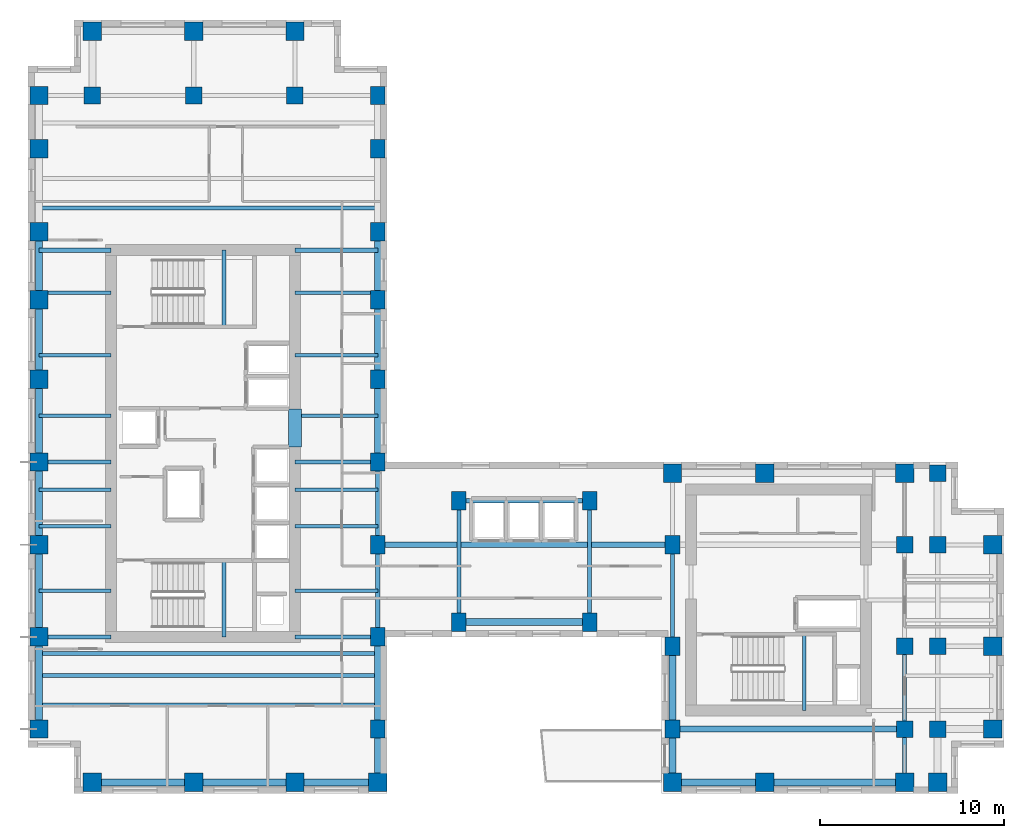
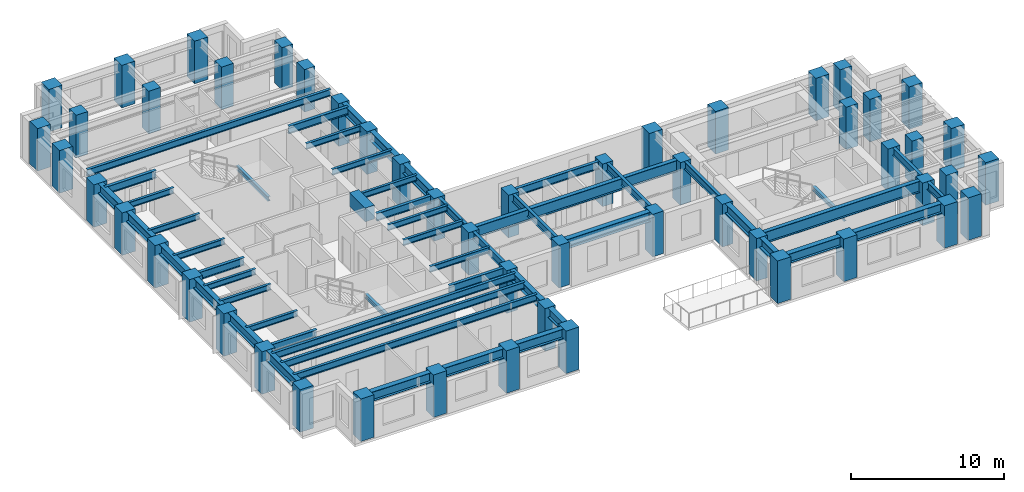
# One storey, part 1 of 12: 55 beams, 52 columns.
"""IFC4 building model written with IfcOpenShell, lengths in metres."""

import ifcopenshell
import ifcopenshell.guid

model = None  # the IFC model being written
_history = None  # IfcOwnerHistory: only IFC2X3 demands one
_inside = {}  # id of a spatial element -> (the spatial element, [elements in it])
_under = {}  # id of a project, library or spatial element -> (it, [spatial elements below it])
_declared = {}  # id of a project -> (the project, [libraries it declares])
_typed = {}  # id of a type object -> (the type object, [elements of that type])
_made_of = {}  # id of a material, layer set ... -> (it, [elements and type objects made of it])


def new_model(schema):
    """Start an empty IFC model of exactly this schema.

    Asked for "IFC4X3", IfcOpenShell would pick the latest addendum, in which some entities
    have other attributes; the version numbers below select the first issue.
    IFC2X3 requires an IfcOwnerHistory on every rooted entity: one is made here for all.
    """
    global model, _history
    if schema == "IFC4X3":
        model = ifcopenshell.file(schema_version=(4, 3, 0, 0))
    else:
        model = ifcopenshell.file(schema=schema)
    _inside.clear()
    _under.clear()
    _declared.clear()
    _typed.clear()
    _made_of.clear()
    _history = None
    if model.schema == "IFC2X3":
        org = make("IfcOrganization", Name="unknown")
        user = make(
            "IfcPersonAndOrganization",
            ThePerson=make("IfcPerson", FamilyName="unknown"),
            TheOrganization=org,
        )
        app = make(
            "IfcApplication",
            ApplicationDeveloper=org,
            Version="unknown",
            ApplicationFullName="unknown",
            ApplicationIdentifier="unknown",
        )
        _history = make(
            "IfcOwnerHistory",
            OwningUser=user,
            OwningApplication=app,
            ChangeAction="ADDED",
            CreationDate=0,
        )
    return model


def make(cls, **values):
    """One entity of the class cls with the attributes given. An attribute that is None is left unset."""
    return model.create_entity(
        cls, **{name: value for name, value in values.items() if value is not None}
    )


def rooted(cls, **values):
    """An entity with a GlobalId (a new one), such as an element, a storey or a relation."""
    return make(cls, GlobalId=ifcopenshell.guid.new(), OwnerHistory=_history, **values)


def si_unit(unit_type, name, prefix=None):
    """IfcSIUnit, for example si_unit("LENGTHUNIT", "METRE", prefix="MILLI")."""
    return make("IfcSIUnit", UnitType=unit_type, Prefix=prefix, Name=name)


def assignment(units):
    """IfcUnitAssignment: the units of a project."""
    return None if units is None else make("IfcUnitAssignment", Units=units)


def point(xyz):
    """IfcCartesianPoint."""
    return None if xyz is None else make("IfcCartesianPoint", Coordinates=xyz)


def direction(xyz):
    """IfcDirection."""
    return None if xyz is None else make("IfcDirection", DirectionRatios=xyz)


def frame(location, z_axis=None, x_axis=None):
    """IfcAxis2Placement3D, a coordinate frame: its origin and axes. An axis left out is left unset."""
    return make(
        "IfcAxis2Placement3D",
        Location=point(location),
        Axis=direction(z_axis),
        RefDirection=direction(x_axis),
    )


def frame_2d(location, x_axis=None):
    """IfcAxis2Placement2D, a coordinate frame in the plane: its origin and x axis."""
    return make(
        "IfcAxis2Placement2D", Location=point(location), RefDirection=direction(x_axis)
    )


def origin():
    """The frame at (0, 0, 0) with its axes left unset."""
    return frame((0.0, 0.0, 0.0))


def origin_2d():
    """The frame at (0, 0) in the plane with its x axis left unset."""
    return frame_2d((0.0, 0.0))


def place(relative_to, where):
    """IfcLocalPlacement: puts the frame where relative to a parent placement (None: the world)."""
    return make(
        "IfcLocalPlacement", PlacementRelTo=relative_to, RelativePlacement=where
    )


def context(
    kind, dimensions, precision=None, world=None, true_north=None, identifier=None
):
    """IfcGeometricRepresentationContext, for example the 3D "Model" context."""
    return make(
        "IfcGeometricRepresentationContext",
        ContextIdentifier=identifier,
        ContextType=kind,
        CoordinateSpaceDimension=dimensions,
        Precision=precision,
        WorldCoordinateSystem=world,
        TrueNorth=true_north,
    )


def subcontext(parent, identifier, kind, view, scale=None):
    """IfcGeometricRepresentationSubContext, for example "Body" below "Model"."""
    return make(
        "IfcGeometricRepresentationSubContext",
        ContextIdentifier=identifier,
        ContextType=kind,
        ParentContext=parent,
        TargetScale=scale,
        TargetView=view,
    )


def project(units=None, contexts=None):
    """IfcProject with its units and contexts."""
    return rooted(
        "IfcProject",
        Name="project",
        RepresentationContexts=contexts,
        UnitsInContext=assignment(units),
    )


def spatial(cls, under=None, at=None, **own):
    """A site, building, storey or space (cls), placed at a placement, below another one or the project."""
    s = rooted(cls, ObjectPlacement=at, **own)
    if under is not None:
        _under.setdefault(under.id(), (under, []))[1].append(s)
    return s


def profile(cls, at=None, kind="AREA", **sizes):
    """A parametric profile (cls). Its sizes go by their IFC names, for example OverallWidth=200.0."""
    return make(cls, ProfileType=kind, Position=at, **sizes)


def rectangle(**sizes):
    """IfcRectangleProfileDef."""
    return profile("IfcRectangleProfileDef", **sizes)


def i_section(**sizes):
    """IfcIShapeProfileDef."""
    return profile("IfcIShapeProfileDef", **sizes)


def extrude(swept, where, along, depth):
    """IfcExtrudedAreaSolid: the profile swept, set in the frame where, extruded along a direction by depth."""
    return make(
        "IfcExtrudedAreaSolid",
        SweptArea=swept,
        Position=where,
        ExtrudedDirection=direction(along),
        Depth=depth,
    )


def shape(context_of_items, identifier, shape_type, items):
    """IfcShapeRepresentation: the items that make up one representation, for example the "Body"."""
    return make(
        "IfcShapeRepresentation",
        ContextOfItems=context_of_items,
        RepresentationIdentifier=identifier,
        RepresentationType=shape_type,
        Items=items,
    )


def source(mapping_origin, context_of_items, identifier, shape_type, items):
    """IfcRepresentationMap: a shape defined once, which mapped items show again and again."""
    return make(
        "IfcRepresentationMap",
        MappingOrigin=mapping_origin,
        MappedRepresentation=shape(context_of_items, identifier, shape_type, items),
    )


def transform(
    local_origin,
    x_axis=None,
    y_axis=None,
    z_axis=None,
    scale=None,
    scale2=None,
    scale3=None,
    uniform=True,
):
    """IfcCartesianTransformationOperator3D, or its non-uniform kind. x_axis, y_axis, z_axis: its Axis1, 2, 3."""
    if uniform:
        return make(
            "IfcCartesianTransformationOperator3D",
            Axis1=direction(x_axis),
            Axis2=direction(y_axis),
            LocalOrigin=point(local_origin),
            Scale=scale,
            Axis3=direction(z_axis),
        )
    return make(
        "IfcCartesianTransformationOperator3DnonUniform",
        Axis1=direction(x_axis),
        Axis2=direction(y_axis),
        LocalOrigin=point(local_origin),
        Scale=scale,
        Axis3=direction(z_axis),
        Scale2=scale2,
        Scale3=scale3,
    )


def mapped(mapping_source, mapping_target):
    """IfcMappedItem: shows the shape of a source again, moved by a transform."""
    return make(
        "IfcMappedItem", MappingSource=mapping_source, MappingTarget=mapping_target
    )


def material(Name=None, Category=None):
    """IfcMaterial."""
    return make("IfcMaterial", Name=Name, Category=Category)


def material_profile(
    of_material, cross_section, Name=None, Category=None, Priority=None
):
    """IfcMaterialProfile: a cross section and its material."""
    return make(
        "IfcMaterialProfile",
        Name=Name,
        Material=of_material,
        Profile=cross_section,
        Priority=Priority,
        Category=Category,
    )


def profile_set(profiles, Name=None, composite=None):
    """IfcMaterialProfileSet."""
    return make(
        "IfcMaterialProfileSet",
        Name=Name,
        MaterialProfiles=profiles,
        CompositeProfile=composite,
    )


def made_of(thing, what):
    """Note that an element or type object is made of a material, layer set ...; save() writes the relation."""
    if what is not None:
        _made_of.setdefault(what.id(), (what, []))[1].append(thing)
    return thing


def type_object(cls, material=None, **own):
    """A type object (cls), such as IfcWallType, which elements share."""
    return made_of(rooted(cls, **own), material)


def element(
    cls,
    number,
    at=None,
    inside=None,
    cuts=None,
    type_object=None,
    material=None,
    context=None,
    identifier="Body",
    shape_type=None,
    held_by="IfcProductDefinitionShape",
    body=None,
    shapes=None,
    **own,
):
    """One element of the class cls, such as IfcWall. Its Tag is "e" and its number.

    at: its placement. inside: the storey or other place that contains it. cuts: it is an
    opening in that element (IfcRelVoidsElement). A single representation is given by context,
    identifier, shape_type and body (its items); several are given by shapes. held_by: the class
    of the entity that holds the representations. save() writes the other relations.
    """
    e = rooted(cls, Tag="e%d" % number, ObjectPlacement=at, **own)
    if body is not None:
        shapes = [shape(context, identifier, shape_type, body)]
    if shapes is not None:
        e.Representation = make(held_by, Representations=shapes)
    if inside is not None:
        _inside.setdefault(inside.id(), (inside, []))[1].append(e)
    if cuts is not None:
        rooted(
            "IfcRelVoidsElement", RelatingBuildingElement=cuts, RelatedOpeningElement=e
        )
    if type_object is not None:
        _typed.setdefault(type_object.id(), (type_object, []))[1].append(e)
    return made_of(e, material)


def aggregate(whole, parts):
    """IfcRelAggregates: a whole, such as a stair, and the parts it consists of."""
    return rooted("IfcRelAggregates", RelatingObject=whole, RelatedObjects=parts)


def save(model, path):
    """Write the relations noted so far, then the file.

    IfcRelAggregates (storeys below a building ...), IfcRelContainedInSpatialStructure (elements
    in a storey), IfcRelDefinesByType, IfcRelAssociatesMaterial and IfcRelDeclares: one each for
    every whole, place, type object, material and project.
    """
    for whole, parts in _under.values():
        aggregate(whole, parts)
    for where, things in _inside.values():
        rooted(
            "IfcRelContainedInSpatialStructure",
            RelatedElements=things,
            RelatingStructure=where,
        )
    for kind, things in _typed.values():
        rooted("IfcRelDefinesByType", RelatedObjects=things, RelatingType=kind)
    for what, things in _made_of.values():
        rooted("IfcRelAssociatesMaterial", RelatedObjects=things, RelatingMaterial=what)
    for by, libraries in _declared.values():
        rooted("IfcRelDeclares", RelatingContext=by, RelatedDefinitions=libraries)
    model.write(path)


model = new_model("IFC4")

# Units and contexts
model_context = context("Model", 3, precision=1e-05, world=origin(), true_north=direction((0.0, 1.0)))
body_context = subcontext(model_context, "Body", "Model", "MODEL_VIEW")
ifc_project = project(units=[si_unit("LENGTHUNIT", "METRE"), si_unit("AREAUNIT", "SQUARE_METRE"), si_unit("VOLUMEUNIT", "CUBIC_METRE"), si_unit("PLANEANGLEUNIT", "RADIAN"), si_unit("MASSUNIT", "GRAM", prefix="KILO")], contexts=[model_context])

# Site, building, storey
site_placement = place(None, origin())
site = spatial("IfcSite", under=ifc_project, at=site_placement, CompositionType="ELEMENT")
building_placement = place(site_placement, origin())
building = spatial("IfcBuilding", under=site, at=building_placement, Name="Kharzan Plaza Tower", CompositionType="ELEMENT")
storey_placement = place(building_placement, frame((0.0, 0.0, 164.699951171875)))
storey = spatial("IfcBuildingStorey", under=building, at=storey_placement, Name="L44", CompositionType="ELEMENT", Elevation=164.699951171875)

# Columns
ifc_material_1 = material(Name="Concrete C50/60", Category="concrete")
ifc_material_profile_1 = material_profile(ifc_material_1, rectangle(XDim=0.89990234375, YDim=0.89990234375, at=origin_2d()), Name="RC-IC900x900")
ifc_profile_set_1 = profile_set([ifc_material_profile_1], Name="Concrete C50/60")
column_type_1 = type_object("IfcColumnType", Name="COL-IC900", PredefinedType="COLUMN", material=ifc_profile_set_1)
shared_shape_1 = source(origin(), body_context, "Body", "SweptSolid", [
    extrude(rectangle(XDim=0.89990234375, YDim=0.89990234375, at=origin_2d()), origin(), (0.0, 0.0, 1.0), 3.400146484375),
])
for number, where, z_axis, x_axis, name in (
    (1, (47.60009765625, 13.5, 0.0), (0.0, 0.0, 1.0), (1.0, 0.0, 0.0), "L44 Structural Column TCBI-135"),
    (2, (47.60009765625, 3.5, 0.0), (0.0, 0.0, 1.0), (1.0, 0.0, 0.0), "L44 Structural Column TCBI-35"),
    (3, (47.60009765625, 8.0, 0.0), (0.0, 0.0, 1.0), (1.0, 0.0, 0.0), "L44 Structural Column TCBI-80"),
    (4, (49.39990234375, 13.5, 0.0), (0.0, 0.0, 1.0), (1.0, 0.0, 0.0), "L44 Structural Column TCE-494-135"),
    (5, (49.39990234375, 17.39990234375, 0.0), (0.0, 0.0, 1.0), (1.0, 0.0, 0.0), "L44 Structural Column TCE-494-174"),
    (6, (49.39990234375, 3.5, 0.0), (0.0, 0.0, 1.0), (1.0, 0.0, 0.0), "L44 Structural Column TCE-494-35"),
    (7, (49.39990234375, 8.0, 0.0), (0.0, 0.0, 1.0), (1.0, 0.0, 0.0), "L44 Structural Column TCE-494-80"),
    (8, (14.5, 37.89990234375, 0.0), (0.0, 0.0, 1.0), (1.0, 0.0, 0.0), "L44 Structural Column TCN-145-379"),
    (9, (3.5, 37.89990234375, 0.0), (0.0, 0.0, 1.0), (1.0, 0.0, 0.0), "L44 Structural Column TCN-35-379"),
    (10, (9.0, 37.89990234375, 0.0), (0.0, 0.0, 1.0), (1.0, 0.0, 0.0), "L44 Structural Column TCN-90-379"),
):
    element("IfcColumn", number, at=place(storey_placement, frame(where, z_axis=z_axis, x_axis=x_axis)), inside=storey, type_object=column_type_1, Name=name, PredefinedType="COLUMN", context=body_context, shape_type="MappedRepresentation", body=[
        mapped(shared_shape_1, transform((0.0, 0.0, 0.0), x_axis=(1.0, 0.0, 0.0), y_axis=(0.0, 1.0, 0.0), z_axis=(0.0, 0.0, 1.0))),
    ])
ifc_material_profile_2 = material_profile(ifc_material_1, rectangle(XDim=0.800048828125, YDim=1.0, at=origin_2d()), Name="RC-SC1000x800")
ifc_profile_set_2 = profile_set([ifc_material_profile_2], Name="Concrete C50/60")
column_type_2 = type_object("IfcColumnType", Name="COL-SC1000", PredefinedType="COLUMN", material=ifc_profile_set_2)
shared_shape_2 = source(origin(), body_context, "Body", "SweptSolid", [
    extrude(rectangle(XDim=0.800048828125, YDim=1.0, at=origin_2d()), origin(), (0.0, 0.0, 1.0), 3.400146484375),
])
for number, where, z_axis, x_axis, name in (
    (11, (19.0, 13.5, 0.0), (0.0, 0.0, 1.0), (1.0, 0.0, 0.0), "L44 Structural Column TCA-135"),
    (12, (19.0, 18.0, 0.0), (0.0, 0.0, 1.0), (1.0, 0.0, 0.0), "L44 Structural Column TCA-180"),
    (13, (19.0, 22.5, 0.0), (0.0, 0.0, 1.0), (1.0, 0.0, 0.0), "L44 Structural Column TCA-225"),
    (14, (19.0, 26.800048828125, 0.0), (0.0, 0.0, 1.0), (1.0, 0.0, 0.0), "L44 Structural Column TCA-268"),
    (15, (19.0, 30.5, 0.0), (0.0, 0.0, 1.0), (1.0, 0.0, 0.0), "L44 Structural Column TCA-305"),
    (16, (19.0, 3.5, 0.0), (0.0, 0.0, 1.0), (1.0, 0.0, 0.0), "L44 Structural Column TCA-35"),
    (17, (19.0, 35.0, 0.0), (0.0, 0.0, 1.0), (1.0, 0.0, 0.0), "L44 Structural Column TCA-350"),
    (18, (19.0, 37.89990234375, 0.0), (0.0, 0.0, 1.0), (1.0, 0.0, 0.0), "L44 Structural Column TCA-379"),
    (19, (19.0, 8.5, 0.0), (0.0, 0.0, 1.0), (1.0, 0.0, 0.0), "L44 Structural Column TCA-85"),
    (20, (35.0, 13.5, 0.0), (0.0, 0.0, 1.0), (1.0, 0.0, 0.0), "L44 Structural Column TCBS-135"),
    (21, (35.0, 3.5, 0.0), (0.0, 0.0, 1.0), (1.0, 0.0, 0.0), "L44 Structural Column TCBS-35"),
    (22, (35.0, 8.0, 0.0), (0.0, 0.0, 1.0), (1.0, 0.0, 0.0), "L44 Structural Column TCBS-80"),
    (23, (23.39990234375, 15.89990234375, 0.0), (0.0, 0.0, 1.0), (1.0, 0.0, 0.0), "L44 Structural Column TCSP-234-159"),
    (24, (23.39990234375, 9.300048828125, 0.0), (0.0, 0.0, 1.0), (1.0, 0.0, 0.0), "L44 Structural Column TCSP-234-93"),
    (25, (30.5, 15.89990234375, 0.0), (0.0, 0.0, 1.0), (1.0, 0.0, 0.0), "L44 Structural Column TCSP-305-159"),
    (26, (30.5, 9.300048828125, 0.0), (0.0, 0.0, 1.0), (1.0, 0.0, 0.0), "L44 Structural Column TCSP-305-93"),
):
    element("IfcColumn", number, at=place(storey_placement, frame(where, z_axis=z_axis, x_axis=x_axis)), inside=storey, type_object=column_type_2, Name=name, PredefinedType="COLUMN", context=body_context, shape_type="MappedRepresentation", body=[
        mapped(shared_shape_2, transform((0.0, 0.0, 0.0), x_axis=(1.0, 0.0, 0.0), y_axis=(0.0, 1.0, 0.0), z_axis=(0.0, 0.0, 1.0))),
    ])
ifc_material_profile_3 = material_profile(ifc_material_1, rectangle(XDim=1.0, YDim=1.0, at=origin_2d()), Name="RC-TC1000x1000")
ifc_profile_set_3 = profile_set([ifc_material_profile_3], Name="Concrete C50/60")
column_type_3 = type_object("IfcColumnType", Name="COL-TC1000", PredefinedType="COLUMN", material=ifc_profile_set_3)
shared_shape_3 = source(origin(), body_context, "Body", "SweptSolid", [
    extrude(rectangle(XDim=1.0, YDim=1.0, at=origin_2d()), origin(), (0.0, 0.0, 1.0), 3.400146484375),
])
for number, where, z_axis, x_axis, name in (
    (27, (35.0, 17.39990234375, 0.0), (0.0, 0.0, 1.0), (1.0, 0.0, 0.0), "L44 Structural Column TCBN-350-174"),
    (28, (40.0, 17.39990234375, 0.0), (0.0, 0.0, 1.0), (1.0, 0.0, 0.0), "L44 Structural Column TCBN-400-174"),
    (29, (47.60009765625, 17.39990234375, 0.0), (0.0, 0.0, 1.0), (1.0, 0.0, 0.0), "L44 Structural Column TCBN-476-174"),
    (30, (52.39990234375, 13.5, 0.0), (0.0, 0.0, 1.0), (1.0, 0.0, 0.0), "L44 Structural Column TCE-524-135"),
    (31, (52.39990234375, 3.5, 0.0), (0.0, 0.0, 1.0), (1.0, 0.0, 0.0), "L44 Structural Column TCE-524-35"),
    (32, (52.39990234375, 8.0, 0.0), (0.0, 0.0, 1.0), (1.0, 0.0, 0.0), "L44 Structural Column TCE-524-80"),
    (33, (14.5, 41.39990234375, 0.0), (0.0, 0.0, 1.0), (1.0, 0.0, 0.0), "L44 Structural Column TCN-145-414"),
    (34, (3.5, 41.39990234375, 0.0), (0.0, 0.0, 1.0), (1.0, 0.0, 0.0), "L44 Structural Column TCN-35-414"),
    (35, (9.0, 41.39990234375, 0.0), (0.0, 0.0, 1.0), (1.0, 0.0, 0.0), "L44 Structural Column TCN-90-414"),
    (36, (14.5, 0.60009765625, 0.0), (0.0, 0.0, 1.0), (1.0, 0.0, 0.0), "L44 Structural Column TCS-145"),
    (37, (19.0, 0.60009765625, 0.0), (0.0, 0.0, 1.0), (1.0, 0.0, 0.0), "L44 Structural Column TCS-190"),
    (38, (3.5, 0.60009765625, 0.0), (0.0, 0.0, 1.0), (1.0, 0.0, 0.0), "L44 Structural Column TCS-35"),
    (39, (35.0, 0.60009765625, 0.0), (0.0, 0.0, 1.0), (1.0, 0.0, 0.0), "L44 Structural Column TCS-350"),
    (40, (40.0, 0.60009765625, 0.0), (0.0, 0.0, 1.0), (1.0, 0.0, 0.0), "L44 Structural Column TCS-400"),
    (41, (47.60009765625, 0.60009765625, 0.0), (0.0, 0.0, 1.0), (1.0, 0.0, 0.0), "L44 Structural Column TCS-476"),
    (42, (49.39990234375, 0.60009765625, 0.0), (0.0, 0.0, 1.0), (1.0, 0.0, 0.0), "L44 Structural Column TCS-494"),
    (43, (9.0, 0.60009765625, 0.0), (0.0, 0.0, 1.0), (1.0, 0.0, 0.0), "L44 Structural Column TCS-90"),
    (44, (0.60009765625, 13.5, 0.0), (0.0, 0.0, 1.0), (1.0, 0.0, 0.0), "L44 Structural Column TCW-135"),
    (45, (0.60009765625, 18.0, 0.0), (0.0, 0.0, 1.0), (1.0, 0.0, 0.0), "L44 Structural Column TCW-180"),
    (46, (0.60009765625, 22.5, 0.0), (0.0, 0.0, 1.0), (1.0, 0.0, 0.0), "L44 Structural Column TCW-225"),
    (47, (0.60009765625, 26.800048828125, 0.0), (0.0, 0.0, 1.0), (1.0, 0.0, 0.0), "L44 Structural Column TCW-268"),
    (48, (0.60009765625, 30.5, 0.0), (0.0, 0.0, 1.0), (1.0, 0.0, 0.0), "L44 Structural Column TCW-305"),
    (49, (0.60009765625, 3.5, 0.0), (0.0, 0.0, 1.0), (1.0, 0.0, 0.0), "L44 Structural Column TCW-35"),
    (50, (0.60009765625, 35.0, 0.0), (0.0, 0.0, 1.0), (1.0, 0.0, 0.0), "L44 Structural Column TCW-350"),
    (51, (0.60009765625, 37.89990234375, 0.0), (0.0, 0.0, 1.0), (1.0, 0.0, 0.0), "L44 Structural Column TCW-379"),
    (52, (0.60009765625, 8.5, 0.0), (0.0, 0.0, 1.0), (1.0, 0.0, 0.0), "L44 Structural Column TCW-85"),
):
    element("IfcColumn", number, at=place(storey_placement, frame(where, z_axis=z_axis, x_axis=x_axis)), inside=storey, type_object=column_type_3, Name=name, PredefinedType="COLUMN", context=body_context, shape_type="MappedRepresentation", body=[
        mapped(shared_shape_3, transform((0.0, 0.0, 0.0), x_axis=(1.0, 0.0, 0.0), y_axis=(0.0, 1.0, 0.0), z_axis=(0.0, 0.0, 1.0))),
    ])

# Beams
ifc_material_2 = material(Name="Concrete C60/75", Category="concrete")
ifc_material_profile_4 = material_profile(ifc_material_2, rectangle(XDim=0.699951171875, YDim=1.10009765625, at=origin_2d()), Name="RC-CB1100x700")
ifc_profile_set_4 = profile_set([ifc_material_profile_4], Name="Concrete C60/75")
beam_type_1 = type_object("IfcBeamType", Name="BM-RCCB1100", PredefinedType="LINTEL", material=ifc_profile_set_4)
shared_shape_4 = source(origin(), body_context, "Body", "SweptSolid", [
    extrude(rectangle(XDim=0.699951171875, YDim=1.10009765625, at=origin_2d()), origin(), (0.0, 0.0, 1.0), 2.059814453125),
])
beam_1_placement = place(storey_placement, frame((14.5, 18.820068359375, 2.85009765625), z_axis=(0.0, 1.0, 0.0), x_axis=(-1.0, 0.0, 0.0)))
element("IfcBeam", 53, at=beam_1_placement, inside=storey, type_object=beam_type_1, Name="L44 CORE-A RC coupling beam CB1", PredefinedType="LINTEL", context=body_context, shape_type="MappedRepresentation", body=[
    mapped(shared_shape_4, transform((0.0, 0.0, 0.0), x_axis=(1.0, 0.0, 0.0), y_axis=(0.0, 1.0, 0.0), z_axis=(0.0, 0.0, 1.0))),
])
ifc_material_3 = material(Name="Steel S355", Category="steel")
ifc_material_profile_5 = material_profile(ifc_material_3, i_section(OverallWidth=0.205078125, OverallDepth=0.35400390625, WebThickness=0.009521484375, FlangeThickness=0.016845703125, at=origin_2d()), Name="W360x79")
ifc_profile_set_5 = profile_set([ifc_material_profile_5], Name="Steel S355")
beam_type_2 = type_object("IfcBeamType", Name="BM-LNT360", PredefinedType="LINTEL", material=ifc_profile_set_5)
shared_shape_5 = source(origin(), body_context, "Body", "SweptSolid", [
    extrude(i_section(OverallWidth=0.205078125, OverallDepth=0.35400390625, WebThickness=0.009521484375, FlangeThickness=0.016845703125, at=origin_2d()), origin(), (0.0, 0.0, 1.0), 4.155029296875),
])
for number, where, z_axis, x_axis, name in (
    (54, (10.64990234375, 8.5, 1.423095703125), (0.0, 1.0, 0.0), (-1.0, 0.0, 0.0), "L44 Stair ST-1 Half-Landing Beam"),
    (55, (10.64990234375, 25.344970703125, 1.423095703125), (0.0, 1.0, 0.0), (-1.0, 0.0, 0.0), "L44 Stair ST-2 Half-Landing Beam"),
    (56, (42.14990234375, 4.5, 1.423095703125), (0.0, 1.0, 0.0), (-1.0, 0.0, 0.0), "L44 Stair ST-3 Half-Landing Beam"),
):
    element("IfcBeam", number, at=place(storey_placement, frame(where, z_axis=z_axis, x_axis=x_axis)), inside=storey, type_object=beam_type_2, Name=name, PredefinedType="LINTEL", context=body_context, shape_type="MappedRepresentation", body=[
        mapped(shared_shape_5, transform((0.0, 0.0, 0.0), x_axis=(1.0, 0.0, 0.0), y_axis=(0.0, 1.0, 0.0), z_axis=(0.0, 0.0, 1.0))),
    ])
ifc_material_profile_6 = material_profile(ifc_material_3, i_section(OverallWidth=0.304931640625, OverallDepth=0.9189453125, WebThickness=0.017333984375, FlangeThickness=0.02783203125, at=origin_2d()), Name="W920x253")
ifc_profile_set_6 = profile_set([ifc_material_profile_6], Name="Steel S355")
beam_type_3 = type_object("IfcBeamType", Name="BM-FG920B", PredefinedType="BEAM", material=ifc_profile_set_6)
shared_shape_6 = source(origin(), body_context, "Body", "SweptSolid", [
    extrude(i_section(OverallWidth=0.304931640625, OverallDepth=0.9189453125, WebThickness=0.017333984375, FlangeThickness=0.02783203125, at=origin_2d()), origin(), (0.0, 0.0, 1.0), 12.60009765625),
])
beam_2_placement = place(storey_placement, frame((35.0, 3.5, 2.9404296875), z_axis=(1.0, 0.0, 0.0), x_axis=(0.0, 1.0, 0.0)))
element("IfcBeam", 57, at=beam_2_placement, inside=storey, type_object=beam_type_3, Name="L44 Primary Floor Girder", PredefinedType="BEAM", context=body_context, shape_type="MappedRepresentation", body=[
    mapped(shared_shape_6, transform((0.0, 0.0, 0.0), x_axis=(1.0, 0.0, 0.0), y_axis=(0.0, 1.0, 0.0), z_axis=(0.0, 0.0, 1.0))),
])
shared_shape_7 = source(origin(), body_context, "Body", "SweptSolid", [
    extrude(i_section(OverallWidth=0.304931640625, OverallDepth=0.9189453125, WebThickness=0.017333984375, FlangeThickness=0.02783203125, at=origin_2d()), origin(), (0.0, 0.0, 1.0), 16.0),
])
beam_3_placement = place(storey_placement, frame((19.0, 13.5, 2.9404296875), z_axis=(1.0, 0.0, 0.0), x_axis=(0.0, 1.0, 0.0)))
element("IfcBeam", 58, at=beam_3_placement, inside=storey, type_object=beam_type_3, Name="L44 Primary Floor Girder", PredefinedType="BEAM", context=body_context, shape_type="MappedRepresentation", body=[
    mapped(shared_shape_7, transform((0.0, 0.0, 0.0), x_axis=(1.0, 0.0, 0.0), y_axis=(0.0, 1.0, 0.0), z_axis=(0.0, 0.0, 1.0))),
])
ifc_material_profile_7 = material_profile(ifc_material_3, i_section(OverallWidth=0.2099609375, OverallDepth=0.537109375, WebThickness=0.010986328125, FlangeThickness=0.017333984375, at=origin_2d()), Name="W530x101")
ifc_profile_set_7 = profile_set([ifc_material_profile_7], Name="Steel S355")
beam_type_4 = type_object("IfcBeamType", Name="BM-JST530B", PredefinedType="JOIST", material=ifc_profile_set_7)
shared_shape_8 = source(origin(), body_context, "Body", "SweptSolid", [
    extrude(i_section(OverallWidth=0.2099609375, OverallDepth=0.537109375, WebThickness=0.010986328125, FlangeThickness=0.017333984375, at=origin_2d()), origin(), (0.0, 0.0, 1.0), 18.39990234375),
])
for number, where, z_axis, x_axis, name in (
    (59, (0.60009765625, 4.800048828125, 3.131591796875), (1.0, 0.0, 0.0), (0.0, 1.0, 0.0), "L44 Wing A Composite Joist 01"),
    (60, (0.60009765625, 6.39990234375, 3.131591796875), (1.0, 0.0, 0.0), (0.0, 1.0, 0.0), "L44 Wing A Composite Joist 02"),
    (61, (0.60009765625, 7.60009765625, 3.131591796875), (1.0, 0.0, 0.0), (0.0, 1.0, 0.0), "L44 Wing A Composite Joist 03"),
    (62, (0.60009765625, 31.800048828125, 3.131591796875), (1.0, 0.0, 0.0), (0.0, 1.0, 0.0), "L44 Wing A Composite Joist 04"),
):
    element("IfcBeam", number, at=place(storey_placement, frame(where, z_axis=z_axis, x_axis=x_axis)), inside=storey, type_object=beam_type_4, Name=name, PredefinedType="JOIST", context=body_context, shape_type="MappedRepresentation", body=[
        mapped(shared_shape_8, transform((0.0, 0.0, 0.0), x_axis=(1.0, 0.0, 0.0), y_axis=(0.0, 1.0, 0.0), z_axis=(0.0, 0.0, 1.0))),
    ])
ifc_material_profile_8 = material_profile(ifc_material_3, i_section(OverallWidth=0.194091796875, OverallDepth=0.468994140625, WebThickness=0.011474609375, FlangeThickness=0.0205078125, at=origin_2d()), Name="W460x106")
ifc_profile_set_8 = profile_set([ifc_material_profile_8], Name="Steel S355")
beam_type_5 = type_object("IfcBeamType", Name="BM-JST460", PredefinedType="JOIST", material=ifc_profile_set_8)
shared_shape_9 = source(origin(), body_context, "Body", "SweptSolid", [
    extrude(i_section(OverallWidth=0.194091796875, OverallDepth=0.468994140625, WebThickness=0.011474609375, FlangeThickness=0.0205078125, at=origin_2d()), origin(), (0.0, 0.0, 1.0), 4.5),
])
for number, where, z_axis, x_axis, name in (
    (63, (14.5, 11.0, 3.16552734375), (1.0, 0.0, 0.0), (0.0, 1.0, 0.0), "L44 Wing A East Infill Joist 1"),
    (64, (14.5, 14.5, 3.16552734375), (1.0, 0.0, 0.0), (0.0, 1.0, 0.0), "L44 Wing A East Infill Joist 2"),
    (65, (14.5, 16.5, 3.16552734375), (1.0, 0.0, 0.0), (0.0, 1.0, 0.0), "L44 Wing A East Infill Joist 3"),
    (66, (14.5, 20.5, 3.16552734375), (1.0, 0.0, 0.0), (0.0, 1.0, 0.0), "L44 Wing A East Infill Joist 4"),
    (67, (14.5, 23.800048828125, 3.16552734375), (1.0, 0.0, 0.0), (0.0, 1.0, 0.0), "L44 Wing A East Infill Joist 5"),
    (68, (14.5, 27.199951171875, 3.16552734375), (1.0, 0.0, 0.0), (0.0, 1.0, 0.0), "L44 Wing A East Infill Joist 6"),
):
    element("IfcBeam", number, at=place(storey_placement, frame(where, z_axis=z_axis, x_axis=x_axis)), inside=storey, type_object=beam_type_5, Name=name, PredefinedType="JOIST", context=body_context, shape_type="MappedRepresentation", body=[
        mapped(shared_shape_9, transform((0.0, 0.0, 0.0), x_axis=(1.0, 0.0, 0.0), y_axis=(0.0, 1.0, 0.0), z_axis=(0.0, 0.0, 1.0))),
    ])
shared_shape_10 = source(origin(), body_context, "Body", "SweptSolid", [
    extrude(i_section(OverallWidth=0.194091796875, OverallDepth=0.468994140625, WebThickness=0.011474609375, FlangeThickness=0.0205078125, at=origin_2d()), origin(), (0.0, 0.0, 1.0), 3.89990234375),
])
for number, where, z_axis, x_axis, name in (
    (69, (0.60009765625, 11.0, 3.16552734375), (1.0, 0.0, 0.0), (0.0, 1.0, 0.0), "L44 Wing A West Infill Joist 1"),
    (70, (0.60009765625, 14.5, 3.16552734375), (1.0, 0.0, 0.0), (0.0, 1.0, 0.0), "L44 Wing A West Infill Joist 2"),
    (71, (0.60009765625, 16.5, 3.16552734375), (1.0, 0.0, 0.0), (0.0, 1.0, 0.0), "L44 Wing A West Infill Joist 3"),
    (72, (0.60009765625, 20.5, 3.16552734375), (1.0, 0.0, 0.0), (0.0, 1.0, 0.0), "L44 Wing A West Infill Joist 4"),
    (73, (0.60009765625, 23.800048828125, 3.16552734375), (1.0, 0.0, 0.0), (0.0, 1.0, 0.0), "L44 Wing A West Infill Joist 5"),
    (74, (0.60009765625, 27.199951171875, 3.16552734375), (1.0, 0.0, 0.0), (0.0, 1.0, 0.0), "L44 Wing A West Infill Joist 6"),
):
    element("IfcBeam", number, at=place(storey_placement, frame(where, z_axis=z_axis, x_axis=x_axis)), inside=storey, type_object=beam_type_5, Name=name, PredefinedType="JOIST", context=body_context, shape_type="MappedRepresentation", body=[
        mapped(shared_shape_10, transform((0.0, 0.0, 0.0), x_axis=(1.0, 0.0, 0.0), y_axis=(0.0, 1.0, 0.0), z_axis=(0.0, 0.0, 1.0))),
    ])
ifc_material_profile_9 = material_profile(ifc_material_3, i_section(OverallWidth=0.22900390625, OverallDepth=0.612060546875, WebThickness=0.011962890625, FlangeThickness=0.01953125, at=origin_2d()), Name="W610x125")
ifc_profile_set_9 = profile_set([ifc_material_profile_9], Name="Steel S355")
beam_type_6 = type_object("IfcBeamType", Name="BM-FG610B", PredefinedType="BEAM", material=ifc_profile_set_9)
shared_shape_11 = source(origin(), body_context, "Body", "SweptSolid", [
    extrude(i_section(OverallWidth=0.22900390625, OverallDepth=0.612060546875, WebThickness=0.011962890625, FlangeThickness=0.01953125, at=origin_2d()), origin(), (0.0, 0.0, 1.0), 4.5),
])
for number, where, z_axis, x_axis, name in (
    (75, (14.5, 8.5, 3.093994140625), (1.0, 0.0, 0.0), (0.0, 1.0, 0.0), "L44 Core-A East Floor Girder 1"),
    (76, (14.5, 18.0, 3.093994140625), (1.0, 0.0, 0.0), (0.0, 1.0, 0.0), "L44 Core-A East Floor Girder 2"),
    (77, (14.5, 29.5, 3.093994140625), (1.0, 0.0, 0.0), (0.0, 1.0, 0.0), "L44 Core-A East Floor Girder 3"),
    (78, (19.0, 13.5, 3.093994140625), (0.0, 1.0, 0.0), (-1.0, 0.0, 0.0), "L44 Interior Frame Girder"),
    (79, (47.60009765625, 3.5, 3.093994140625), (0.0, 1.0, 0.0), (-1.0, 0.0, 0.0), "L44 Interior Frame Girder"),
):
    element("IfcBeam", number, at=place(storey_placement, frame(where, z_axis=z_axis, x_axis=x_axis)), inside=storey, type_object=beam_type_6, Name=name, PredefinedType="BEAM", context=body_context, shape_type="MappedRepresentation", body=[
        mapped(shared_shape_11, transform((0.0, 0.0, 0.0), x_axis=(1.0, 0.0, 0.0), y_axis=(0.0, 1.0, 0.0), z_axis=(0.0, 0.0, 1.0))),
    ])
shared_shape_12 = source(origin(), body_context, "Body", "SweptSolid", [
    extrude(i_section(OverallWidth=0.22900390625, OverallDepth=0.612060546875, WebThickness=0.011962890625, FlangeThickness=0.01953125, at=origin_2d()), origin(), (0.0, 0.0, 1.0), 3.89990234375),
])
for number, where, z_axis, x_axis, name in (
    (80, (0.60009765625, 8.5, 3.093994140625), (1.0, 0.0, 0.0), (0.0, 1.0, 0.0), "L44 Core-A West Floor Girder 1"),
    (81, (0.60009765625, 18.0, 3.093994140625), (1.0, 0.0, 0.0), (0.0, 1.0, 0.0), "L44 Core-A West Floor Girder 2"),
    (82, (0.60009765625, 29.5, 3.093994140625), (1.0, 0.0, 0.0), (0.0, 1.0, 0.0), "L44 Core-A West Floor Girder 3"),
):
    element("IfcBeam", number, at=place(storey_placement, frame(where, z_axis=z_axis, x_axis=x_axis)), inside=storey, type_object=beam_type_6, Name=name, PredefinedType="BEAM", context=body_context, shape_type="MappedRepresentation", body=[
        mapped(shared_shape_12, transform((0.0, 0.0, 0.0), x_axis=(1.0, 0.0, 0.0), y_axis=(0.0, 1.0, 0.0), z_axis=(0.0, 0.0, 1.0))),
    ])
shared_shape_13 = source(origin(), body_context, "Body", "SweptSolid", [
    extrude(i_section(OverallWidth=0.22900390625, OverallDepth=0.612060546875, WebThickness=0.011962890625, FlangeThickness=0.01953125, at=origin_2d()), origin(), (0.0, 0.0, 1.0), 5.0),
])
beam_4_placement = place(storey_placement, frame((19.0, 8.5, 3.093994140625), z_axis=(0.0, 1.0, 0.0), x_axis=(-1.0, 0.0, 0.0)))
element("IfcBeam", 83, at=beam_4_placement, inside=storey, type_object=beam_type_6, Name="L44 Interior Frame Girder", PredefinedType="BEAM", context=body_context, shape_type="MappedRepresentation", body=[
    mapped(shared_shape_13, transform((0.0, 0.0, 0.0), x_axis=(1.0, 0.0, 0.0), y_axis=(0.0, 1.0, 0.0), z_axis=(0.0, 0.0, 1.0))),
])
shared_shape_14 = source(origin(), body_context, "Body", "SweptSolid", [
    extrude(i_section(OverallWidth=0.22900390625, OverallDepth=0.612060546875, WebThickness=0.011962890625, FlangeThickness=0.01953125, at=origin_2d()), origin(), (0.0, 0.0, 1.0), 6.599853515625),
])
for number, where, z_axis, x_axis, name in (
    (84, (23.39990234375, 9.300048828125, 3.093994140625), (0.0, 1.0, 0.0), (-1.0, 0.0, 0.0), "L44 Interior Frame Girder"),
    (85, (30.5, 9.300048828125, 3.093994140625), (0.0, 1.0, 0.0), (-1.0, 0.0, 0.0), "L44 Interior Frame Girder"),
):
    element("IfcBeam", number, at=place(storey_placement, frame(where, z_axis=z_axis, x_axis=x_axis)), inside=storey, type_object=beam_type_6, Name=name, PredefinedType="BEAM", context=body_context, shape_type="MappedRepresentation", body=[
        mapped(shared_shape_14, transform((0.0, 0.0, 0.0), x_axis=(1.0, 0.0, 0.0), y_axis=(0.0, 1.0, 0.0), z_axis=(0.0, 0.0, 1.0))),
    ])
shared_shape_15 = source(origin(), body_context, "Body", "SweptSolid", [
    extrude(i_section(OverallWidth=0.22900390625, OverallDepth=0.612060546875, WebThickness=0.011962890625, FlangeThickness=0.01953125, at=origin_2d()), origin(), (0.0, 0.0, 1.0), 5.5),
])
beam_5_placement = place(storey_placement, frame((35.0, 8.0, 3.093994140625), z_axis=(0.0, 1.0, 0.0), x_axis=(-1.0, 0.0, 0.0)))
element("IfcBeam", 86, at=beam_5_placement, inside=storey, type_object=beam_type_6, Name="L44 Interior Frame Girder", PredefinedType="BEAM", context=body_context, shape_type="MappedRepresentation", body=[
    mapped(shared_shape_15, transform((0.0, 0.0, 0.0), x_axis=(1.0, 0.0, 0.0), y_axis=(0.0, 1.0, 0.0), z_axis=(0.0, 0.0, 1.0))),
])
shared_shape_16 = source(origin(), body_context, "Body", "SweptSolid", [
    extrude(i_section(OverallWidth=0.22900390625, OverallDepth=0.612060546875, WebThickness=0.011962890625, FlangeThickness=0.01953125, at=origin_2d()), origin(), (0.0, 0.0, 1.0), 2.89990234375),
])
beam_6_placement = place(storey_placement, frame((47.60009765625, 0.60009765625, 3.093994140625), z_axis=(0.0, 1.0, 0.0), x_axis=(-1.0, 0.0, 0.0)))
element("IfcBeam", 87, at=beam_6_placement, inside=storey, type_object=beam_type_6, Name="L44 Interior Frame Girder", PredefinedType="BEAM", context=body_context, shape_type="MappedRepresentation", body=[
    mapped(shared_shape_16, transform((0.0, 0.0, 0.0), x_axis=(1.0, 0.0, 0.0), y_axis=(0.0, 1.0, 0.0), z_axis=(0.0, 0.0, 1.0))),
])
shared_shape_17 = source(origin(), body_context, "Body", "SweptSolid", [
    extrude(i_section(OverallWidth=0.22900390625, OverallDepth=0.612060546875, WebThickness=0.011962890625, FlangeThickness=0.01953125, at=origin_2d()), origin(), (0.0, 0.0, 1.0), 7.10009765625),
])
beam_7_placement = place(storey_placement, frame((23.39990234375, 15.89990234375, 3.093994140625), z_axis=(1.0, 0.0, 0.0), x_axis=(0.0, 1.0, 0.0)))
element("IfcBeam", 88, at=beam_7_placement, inside=storey, type_object=beam_type_6, Name="L44 Primary Floor Girder", PredefinedType="BEAM", context=body_context, shape_type="MappedRepresentation", body=[
    mapped(shared_shape_17, transform((0.0, 0.0, 0.0), x_axis=(1.0, 0.0, 0.0), y_axis=(0.0, 1.0, 0.0), z_axis=(0.0, 0.0, 1.0))),
])
ifc_material_profile_10 = material_profile(ifc_material_3, i_section(OverallWidth=0.381103515625, OverallDepth=0.77294921875, WebThickness=0.0166015625, FlangeThickness=0.027587890625, at=origin_2d()), Name="W760x257")
ifc_profile_set_10 = profile_set([ifc_material_profile_10], Name="Steel S355")
beam_type_7 = type_object("IfcBeamType", Name="BM-SP760A", PredefinedType="SPANDREL", material=ifc_profile_set_10)
shared_shape_18 = source(origin(), body_context, "Body", "SweptSolid", [
    extrude(i_section(OverallWidth=0.381103515625, OverallDepth=0.77294921875, WebThickness=0.0166015625, FlangeThickness=0.027587890625, at=origin_2d()), origin(), (0.0, 0.0, 1.0), 5.0),
])
for number, where, z_axis, x_axis, name in (
    (89, (0.60009765625, 3.5, 3.013427734375), (0.0, 1.0, 0.0), (-1.0, 0.0, 0.0), "L44 Perimeter Tube Spandrel"),
    (90, (0.60009765625, 8.5, 3.013427734375), (0.0, 1.0, 0.0), (-1.0, 0.0, 0.0), "L44 Perimeter Tube Spandrel"),
    (91, (19.0, 3.5, 3.013427734375), (0.0, 1.0, 0.0), (-1.0, 0.0, 0.0), "L44 Perimeter Tube Spandrel"),
    (92, (35.0, 0.60009765625, 3.013427734375), (1.0, 0.0, 0.0), (0.0, 1.0, 0.0), "L44 Perimeter Tube Spandrel"),
):
    element("IfcBeam", number, at=place(storey_placement, frame(where, z_axis=z_axis, x_axis=x_axis)), inside=storey, type_object=beam_type_7, Name=name, PredefinedType="SPANDREL", context=body_context, shape_type="MappedRepresentation", body=[
        mapped(shared_shape_18, transform((0.0, 0.0, 0.0), x_axis=(1.0, 0.0, 0.0), y_axis=(0.0, 1.0, 0.0), z_axis=(0.0, 0.0, 1.0))),
    ])
shared_shape_19 = source(origin(), body_context, "Body", "SweptSolid", [
    extrude(i_section(OverallWidth=0.381103515625, OverallDepth=0.77294921875, WebThickness=0.0166015625, FlangeThickness=0.027587890625, at=origin_2d()), origin(), (0.0, 0.0, 1.0), 4.5),
])
for number, where, z_axis, x_axis, name in (
    (93, (0.60009765625, 13.5, 3.013427734375), (0.0, 1.0, 0.0), (-1.0, 0.0, 0.0), "L44 Perimeter Tube Spandrel"),
    (94, (0.60009765625, 18.0, 3.013427734375), (0.0, 1.0, 0.0), (-1.0, 0.0, 0.0), "L44 Perimeter Tube Spandrel"),
    (95, (19.0, 18.0, 3.013427734375), (0.0, 1.0, 0.0), (-1.0, 0.0, 0.0), "L44 Perimeter Tube Spandrel"),
    (96, (35.0, 3.5, 3.013427734375), (0.0, 1.0, 0.0), (-1.0, 0.0, 0.0), "L44 Perimeter Tube Spandrel"),
    (97, (14.5, 0.60009765625, 3.013427734375), (1.0, 0.0, 0.0), (0.0, 1.0, 0.0), "L44 Perimeter Tube Spandrel"),
):
    element("IfcBeam", number, at=place(storey_placement, frame(where, z_axis=z_axis, x_axis=x_axis)), inside=storey, type_object=beam_type_7, Name=name, PredefinedType="SPANDREL", context=body_context, shape_type="MappedRepresentation", body=[
        mapped(shared_shape_19, transform((0.0, 0.0, 0.0), x_axis=(1.0, 0.0, 0.0), y_axis=(0.0, 1.0, 0.0), z_axis=(0.0, 0.0, 1.0))),
    ])
shared_shape_20 = source(origin(), body_context, "Body", "SweptSolid", [
    extrude(i_section(OverallWidth=0.381103515625, OverallDepth=0.77294921875, WebThickness=0.0166015625, FlangeThickness=0.027587890625, at=origin_2d()), origin(), (0.0, 0.0, 1.0), 4.300048828125),
])
for number, where, z_axis, x_axis, name in (
    (98, (0.60009765625, 22.5, 3.013427734375), (0.0, 1.0, 0.0), (-1.0, 0.0, 0.0), "L44 Perimeter Tube Spandrel"),
    (99, (19.0, 22.5, 3.013427734375), (0.0, 1.0, 0.0), (-1.0, 0.0, 0.0), "L44 Perimeter Tube Spandrel"),
):
    element("IfcBeam", number, at=place(storey_placement, frame(where, z_axis=z_axis, x_axis=x_axis)), inside=storey, type_object=beam_type_7, Name=name, PredefinedType="SPANDREL", context=body_context, shape_type="MappedRepresentation", body=[
        mapped(shared_shape_20, transform((0.0, 0.0, 0.0), x_axis=(1.0, 0.0, 0.0), y_axis=(0.0, 1.0, 0.0), z_axis=(0.0, 0.0, 1.0))),
    ])
shared_shape_21 = source(origin(), body_context, "Body", "SweptSolid", [
    extrude(i_section(OverallWidth=0.381103515625, OverallDepth=0.77294921875, WebThickness=0.0166015625, FlangeThickness=0.027587890625, at=origin_2d()), origin(), (0.0, 0.0, 1.0), 3.699951171875),
])
for number, where, z_axis, x_axis, name in (
    (100, (0.60009765625, 26.800048828125, 3.013427734375), (0.0, 1.0, 0.0), (-1.0, 0.0, 0.0), "L44 Perimeter Tube Spandrel"),
    (101, (19.0, 26.800048828125, 3.013427734375), (0.0, 1.0, 0.0), (-1.0, 0.0, 0.0), "L44 Perimeter Tube Spandrel"),
):
    element("IfcBeam", number, at=place(storey_placement, frame(where, z_axis=z_axis, x_axis=x_axis)), inside=storey, type_object=beam_type_7, Name=name, PredefinedType="SPANDREL", context=body_context, shape_type="MappedRepresentation", body=[
        mapped(shared_shape_21, transform((0.0, 0.0, 0.0), x_axis=(1.0, 0.0, 0.0), y_axis=(0.0, 1.0, 0.0), z_axis=(0.0, 0.0, 1.0))),
    ])
shared_shape_22 = source(origin(), body_context, "Body", "SweptSolid", [
    extrude(i_section(OverallWidth=0.381103515625, OverallDepth=0.77294921875, WebThickness=0.0166015625, FlangeThickness=0.027587890625, at=origin_2d()), origin(), (0.0, 0.0, 1.0), 2.89990234375),
])
for number, where, z_axis, x_axis, name in (
    (102, (19.0, 0.60009765625, 3.013427734375), (0.0, 1.0, 0.0), (-1.0, 0.0, 0.0), "L44 Perimeter Tube Spandrel"),
    (103, (35.0, 0.60009765625, 3.013427734375), (0.0, 1.0, 0.0), (-1.0, 0.0, 0.0), "L44 Perimeter Tube Spandrel"),
):
    element("IfcBeam", number, at=place(storey_placement, frame(where, z_axis=z_axis, x_axis=x_axis)), inside=storey, type_object=beam_type_7, Name=name, PredefinedType="SPANDREL", context=body_context, shape_type="MappedRepresentation", body=[
        mapped(shared_shape_22, transform((0.0, 0.0, 0.0), x_axis=(1.0, 0.0, 0.0), y_axis=(0.0, 1.0, 0.0), z_axis=(0.0, 0.0, 1.0))),
    ])
shared_shape_23 = source(origin(), body_context, "Body", "SweptSolid", [
    extrude(i_section(OverallWidth=0.381103515625, OverallDepth=0.77294921875, WebThickness=0.0166015625, FlangeThickness=0.027587890625, at=origin_2d()), origin(), (0.0, 0.0, 1.0), 5.5),
])
for number, where, z_axis, x_axis, name in (
    (104, (3.5, 0.60009765625, 3.013427734375), (1.0, 0.0, 0.0), (0.0, 1.0, 0.0), "L44 Perimeter Tube Spandrel"),
    (105, (9.0, 0.60009765625, 3.013427734375), (1.0, 0.0, 0.0), (0.0, 1.0, 0.0), "L44 Perimeter Tube Spandrel"),
):
    element("IfcBeam", number, at=place(storey_placement, frame(where, z_axis=z_axis, x_axis=x_axis)), inside=storey, type_object=beam_type_7, Name=name, PredefinedType="SPANDREL", context=body_context, shape_type="MappedRepresentation", body=[
        mapped(shared_shape_23, transform((0.0, 0.0, 0.0), x_axis=(1.0, 0.0, 0.0), y_axis=(0.0, 1.0, 0.0), z_axis=(0.0, 0.0, 1.0))),
    ])
shared_shape_24 = source(origin(), body_context, "Body", "SweptSolid", [
    extrude(i_section(OverallWidth=0.381103515625, OverallDepth=0.77294921875, WebThickness=0.0166015625, FlangeThickness=0.027587890625, at=origin_2d()), origin(), (0.0, 0.0, 1.0), 7.60009765625),
])
beam_8_placement = place(storey_placement, frame((40.0, 0.60009765625, 3.013427734375), z_axis=(1.0, 0.0, 0.0), x_axis=(0.0, 1.0, 0.0)))
element("IfcBeam", 106, at=beam_8_placement, inside=storey, type_object=beam_type_7, Name="L44 Perimeter Tube Spandrel", PredefinedType="SPANDREL", context=body_context, shape_type="MappedRepresentation", body=[
    mapped(shared_shape_24, transform((0.0, 0.0, 0.0), x_axis=(1.0, 0.0, 0.0), y_axis=(0.0, 1.0, 0.0), z_axis=(0.0, 0.0, 1.0))),
])
shared_shape_25 = source(origin(), body_context, "Body", "SweptSolid", [
    extrude(i_section(OverallWidth=0.381103515625, OverallDepth=0.77294921875, WebThickness=0.0166015625, FlangeThickness=0.027587890625, at=origin_2d()), origin(), (0.0, 0.0, 1.0), 7.10009765625),
])
beam_9_placement = place(storey_placement, frame((23.39990234375, 9.300048828125, 3.013427734375), z_axis=(1.0, 0.0, 0.0), x_axis=(0.0, 1.0, 0.0)))
element("IfcBeam", 107, at=beam_9_placement, inside=storey, type_object=beam_type_7, Name="L44 Perimeter Tube Spandrel", PredefinedType="SPANDREL", context=body_context, shape_type="MappedRepresentation", body=[
    mapped(shared_shape_25, transform((0.0, 0.0, 0.0), x_axis=(1.0, 0.0, 0.0), y_axis=(0.0, 1.0, 0.0), z_axis=(0.0, 0.0, 1.0))),
])

save(model, "model.ifc")
